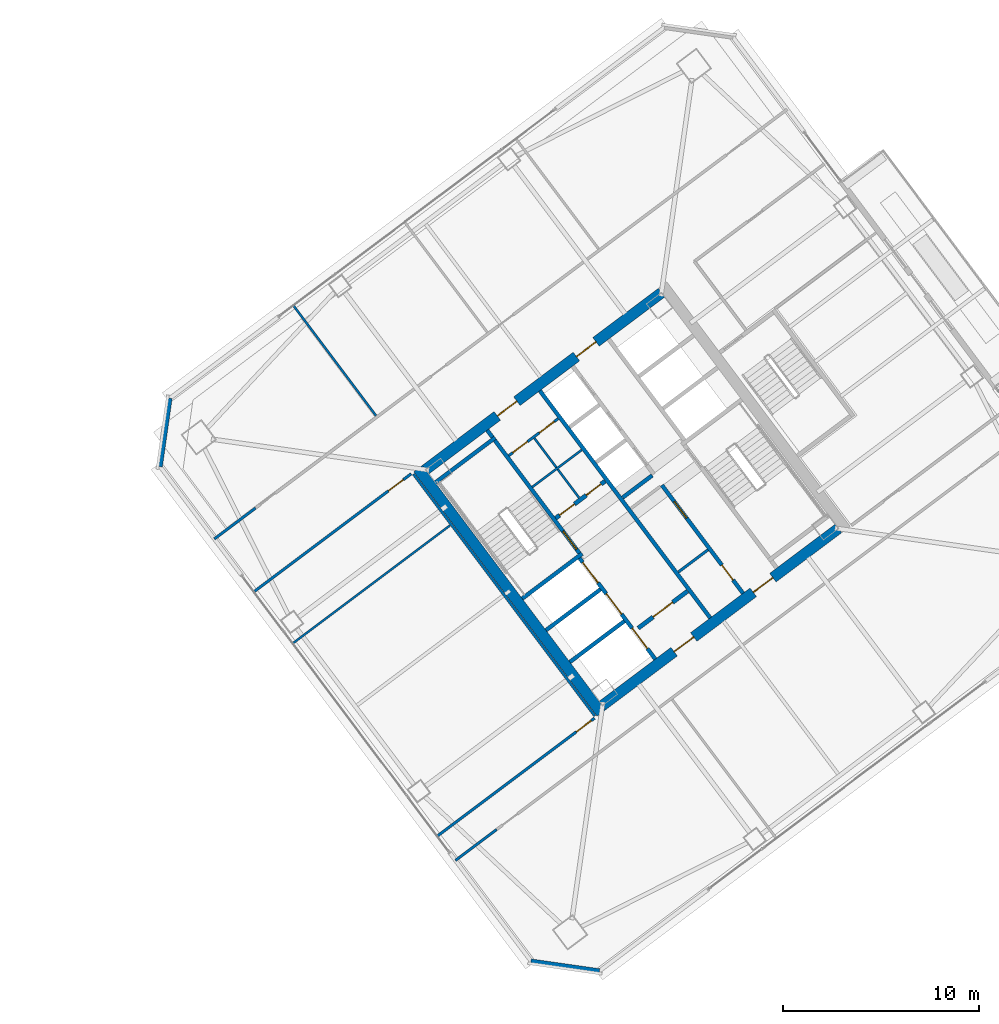
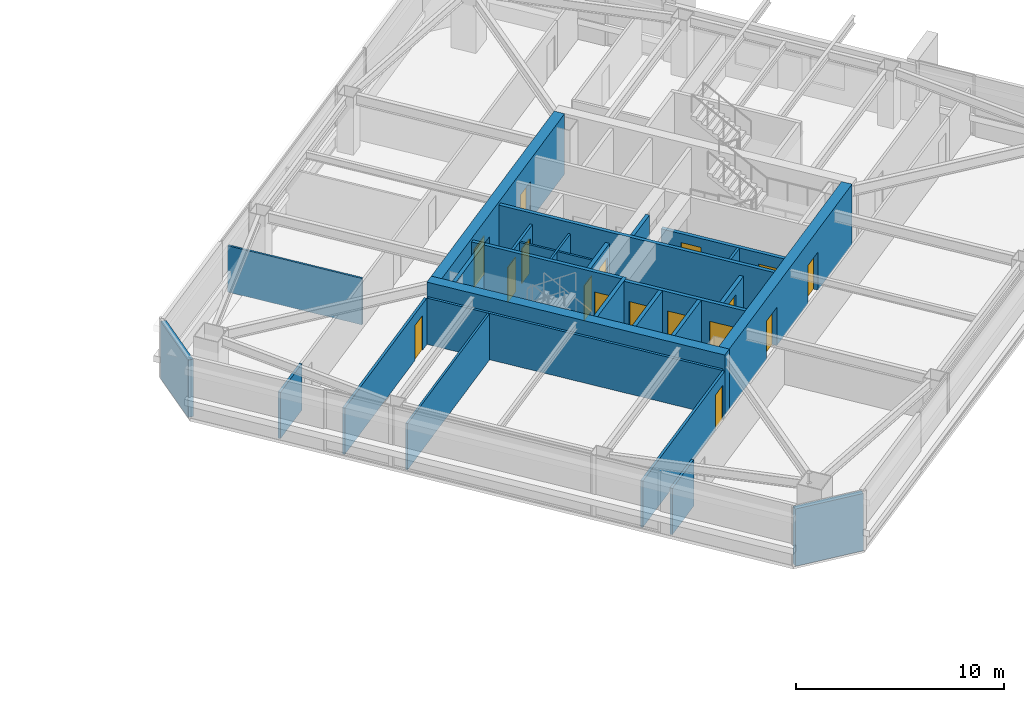
# One storey, part 32 of 41: 27 walls, 17 doors, 17 openings.
"""IFC4 building model written with IfcOpenShell, lengths in metres."""

from ifc_helpers import new_model, si_unit, direction, frame, frame_2d, origin, place, context, subcontext, project, spatial, rectangle, extrude, material, layer, layer_set, type_object, element, fill, save


model = new_model("IFC4")

# Units and contexts
model_context = context("Model", 3, precision=1e-05, world=origin(), true_north=direction((0.0, 1.0)))
body_context = subcontext(model_context, "Body", "Model", "MODEL_VIEW")
ifc_project = project(units=[si_unit("LENGTHUNIT", "METRE"), si_unit("AREAUNIT", "SQUARE_METRE"), si_unit("VOLUMEUNIT", "CUBIC_METRE"), si_unit("PLANEANGLEUNIT", "RADIAN"), si_unit("MASSUNIT", "GRAM", prefix="KILO")], contexts=[model_context])

# Site, building, storey
site_placement = place(None, origin())
site = spatial("IfcSite", under=ifc_project, at=site_placement, CompositionType="ELEMENT")
building_placement = place(site_placement, origin())
building = spatial("IfcBuilding", under=site, at=building_placement, Name="Tashvorn Skyway Center", CompositionType="ELEMENT")
storey_placement = place(building_placement, frame((0.0, 0.0, 146.35009765625)))
storey = spatial("IfcBuildingStorey", under=building, at=storey_placement, Name="L39", CompositionType="ELEMENT", Elevation=146.35009765625)

# Wall
ifc_material_1 = material(Name="Concrete C60/75", Category="concrete")
ifc_layer_1 = layer(ifc_material_1, 0.550048828125)
ifc_layer_set_1 = layer_set([ifc_layer_1], Name="Concrete C60/75")
wall_type_1 = type_object("IfcWallType", Name="WALL-CORE-550", PredefinedType="SHEAR", material=ifc_layer_set_1)
wall_1_placement = place(storey_placement, frame((112.43603515625, 21.076904296875, 0.0), z_axis=(0.0, 0.0, 1.0), x_axis=(-0.600005007985, 0.799996243986, 0.0)))
element("IfcWall", 1, at=wall_1_placement, inside=storey, type_object=wall_type_1, Name="Tower 2 L39 West Core Shear Wall", PredefinedType="SHEAR", context=body_context, shape_type="SweptSolid", body=[
    extrude(rectangle(XDim=15.60009765625, YDim=0.550048828125, at=frame_2d((7.800048828125, 0.0))), origin(), (0.0, 0.0, 1.0), 3.5498046875),
])

# Wall, openings, doors
wall_2_placement = place(storey_placement, frame((124.5390625, 30.498046875, 0.0), z_axis=(0.0, 0.0, 1.0), x_axis=(-0.799998054672, -0.600002593761, 0.0)))
wall_2 = element("IfcWall", 2, at=wall_2_placement, inside=storey, type_object=wall_type_1, Name="Tower 2 L39 South Core Shear Wall", PredefinedType="SHEAR", context=body_context, shape_type="SweptSolid", body=[
    extrude(rectangle(XDim=15.06005859375, YDim=0.550048828125, at=frame_2d((7.530029296875, 0.0))), origin(), (0.0, 0.0, 1.0), 3.5498046875),
])
opening_1_placement = place(wall_2_placement, frame((9.22998046875, 0.0, 0.0)))
opening_1 = element("IfcOpeningElement", 3, at=opening_1_placement, cuts=wall_2, Name="Opening D-FFL-1250", PredefinedType="OPENING", context=body_context, shape_type="SweptSolid", body=[
    extrude(rectangle(XDim=1.25, YDim=2.25, at=frame_2d((0.625, 1.125))), frame((0.0, 0.284912109375, 0.0), z_axis=(0.0, -1.0, 0.0), x_axis=(1.0, 0.0, 0.0)), (0.0, 0.0, 1.0), 0.570068359375),
])
opening_2_placement = place(wall_2_placement, frame((4.179931640625, 0.0, 0.0)))
opening_2 = element("IfcOpeningElement", 4, at=opening_2_placement, cuts=wall_2, Name="Opening D-FFL-1250", PredefinedType="OPENING", context=body_context, shape_type="SweptSolid", body=[
    extrude(rectangle(XDim=1.25, YDim=2.25, at=frame_2d((0.625, 1.125))), frame((0.0, 0.284912109375, 0.0), z_axis=(0.0, -1.0, 0.0), x_axis=(1.0, 0.0, 0.0)), (0.0, 0.0, 1.0), 0.570068359375),
])
ifc_material_2 = material(Name="Hollow galvanized steel fire door assembly", Category="steel")
door_type_1 = type_object("IfcDoorType", Name="DOOR-FFL-1250", OperationType="NOTDEFINED", PredefinedType="DOOR", material=ifc_material_2)
door_1_placement = place(opening_1_placement, origin())
door_1 = element("IfcDoor", 5, at=door_1_placement, inside=storey, type_object=door_type_1, Name="Tower 2 L39 Core South Firefighting Exit Door", OperationType="SINGLE_SWING_LEFT", OverallHeight=2.25, OverallWidth=1.25, PredefinedType="DOOR", context=body_context, shape_type="SweptSolid", body=[
    extrude(rectangle(XDim=1.25, YDim=2.25, at=frame_2d((0.625, 1.125))), frame((0.0, 0.02490234375, 0.0), z_axis=(0.0, -1.0, 0.0), x_axis=(1.0, 0.0, 0.0)), (0.0, 0.0, 1.0), 0.050048828125),
])
fill(opening_1, door_1)
door_2_placement = place(opening_2_placement, origin())
door_2 = element("IfcDoor", 6, at=door_2_placement, inside=storey, type_object=door_type_1, Name="Tower 2 L39 Core South Lift Lobby Door", OperationType="SINGLE_SWING_RIGHT", OverallHeight=2.25, OverallWidth=1.25, PredefinedType="DOOR", context=body_context, shape_type="SweptSolid", body=[
    extrude(rectangle(XDim=1.25, YDim=2.25, at=frame_2d((0.625, 1.125))), frame((0.0, 0.02490234375, 0.0), z_axis=(0.0, -1.0, 0.0), x_axis=(1.0, 0.0, 0.0)), (0.0, 0.0, 1.0), 0.050048828125),
])
fill(opening_2, door_2)

wall_3_placement = place(storey_placement, frame((103.4609375, 33.501953125, 0.0), z_axis=(0.0, 0.0, 1.0), x_axis=(0.799998054672, 0.600002593761, 0.0)))
wall_3 = element("IfcWall", 7, at=wall_3_placement, inside=storey, type_object=wall_type_1, Name="Tower 2 L39 North Core Shear Wall", PredefinedType="SHEAR", context=body_context, shape_type="SweptSolid", body=[
    extrude(rectangle(XDim=15.06005859375, YDim=0.550048828125, at=frame_2d((7.530029296875, 0.0))), origin(), (0.0, 0.0, 1.0), 3.5498046875),
])
opening_3_placement = place(wall_3_placement, frame((4.580078125, 0.0, 0.0)))
opening_3 = element("IfcOpeningElement", 8, at=opening_3_placement, cuts=wall_3, Name="Opening D-FFL-1250", PredefinedType="OPENING", context=body_context, shape_type="SweptSolid", body=[
    extrude(rectangle(XDim=1.25, YDim=2.25, at=frame_2d((0.625, 1.125))), frame((0.0, 0.284912109375, 0.0), z_axis=(0.0, -1.0, 0.0), x_axis=(1.0, 0.0, 0.0)), (0.0, 0.0, 1.0), 0.570068359375),
])
opening_4_placement = place(wall_3_placement, frame((9.6298828125, 0.0, 0.0)))
opening_4 = element("IfcOpeningElement", 9, at=opening_4_placement, cuts=wall_3, Name="Opening D-FFL-1250", PredefinedType="OPENING", context=body_context, shape_type="SweptSolid", body=[
    extrude(rectangle(XDim=1.25, YDim=2.25, at=frame_2d((0.625, 1.125))), frame((0.0, 0.284912109375, 0.0), z_axis=(0.0, -1.0, 0.0), x_axis=(1.0, 0.0, 0.0)), (0.0, 0.0, 1.0), 0.570068359375),
])
door_3_placement = place(opening_3_placement, origin())
door_3 = element("IfcDoor", 10, at=door_3_placement, inside=storey, type_object=door_type_1, Name="Tower 2 L39 Core North Service Lobby Door", OperationType="SINGLE_SWING_LEFT", OverallHeight=2.25, OverallWidth=1.25, PredefinedType="DOOR", context=body_context, shape_type="SweptSolid", body=[
    extrude(rectangle(XDim=1.25, YDim=2.25, at=frame_2d((0.625, 1.125))), frame((0.0, 0.02490234375, 0.0), z_axis=(0.0, -1.0, 0.0), x_axis=(1.0, 0.0, 0.0)), (0.0, 0.0, 1.0), 0.050048828125),
])
fill(opening_3, door_3)
door_4_placement = place(opening_4_placement, origin())
door_4 = element("IfcDoor", 11, at=door_4_placement, inside=storey, type_object=door_type_1, Name="Tower 2 L39 Core North Lift Lobby Door", OperationType="SINGLE_SWING_RIGHT", OverallHeight=2.25, OverallWidth=1.25, PredefinedType="DOOR", context=body_context, shape_type="SweptSolid", body=[
    extrude(rectangle(XDim=1.25, YDim=2.25, at=frame_2d((0.625, 1.125))), frame((0.0, 0.02490234375, 0.0), z_axis=(0.0, -1.0, 0.0), x_axis=(1.0, 0.0, 0.0)), (0.0, 0.0, 1.0), 0.050048828125),
])
fill(opening_4, door_4)

# Walls
ifc_material_3 = material(Name="Precast concrete C40/50", Category="concrete")
ifc_layer_2 = layer(ifc_material_3, 0.280029296875)
ifc_layer_set_2 = layer_set([ifc_layer_2], Name="Precast concrete C40/50")
wall_type_2 = type_object("IfcWallType", Name="WALL-EXT-280", PredefinedType="SOLIDWALL", material=ifc_layer_set_2)
for number, where, z_axis, x_axis, name in (
    (12, (112.340087890625, 7.8798828125, 0.0), (0.0, 0.0, 1.0), (-0.989949493661, 0.141421356237, 0.0), "Tower 2 L39 SW Precast Chamfer Wall"),
    (13, (89.8798828125, 33.659912109375, 0.0), (0.0, 0.0, 1.0), (0.141421356237, 0.989949493661, 0.0), "Tower 2 L39 NW Precast Chamfer Wall"),
):
    element("IfcWall", number, at=place(storey_placement, frame(where, z_axis=z_axis, x_axis=x_axis)), inside=storey, type_object=wall_type_2, Name=name, PredefinedType="SOLIDWALL", context=body_context, shape_type="SweptSolid", body=[
        extrude(rectangle(XDim=3.53564453125, YDim=0.280029296875, at=frame_2d((1.767822265625, 0.0))), origin(), (0.0, 0.0, 1.0), 3.369873046875),
    ])

# Wall, openings, doors
ifc_material_4 = material(Name="Concrete C40/50", Category="concrete")
ifc_layer_3 = layer(ifc_material_4, 0.219970703125)
ifc_layer_set_3 = layer_set([ifc_layer_3], Name="Concrete C40/50")
wall_type_3 = type_object("IfcWallType", Name="WALL-FFL-220", PredefinedType="SOLIDWALL", material=ifc_layer_set_3)
wall_4_placement = place(storey_placement, frame((110.10400390625, 31.028076171875, 0.0), z_axis=(0.0, 0.0, 1.0), x_axis=(0.800018601094, 0.59997519774, 0.0)))
wall_4 = element("IfcWall", 14, at=wall_4_placement, inside=storey, type_object=wall_type_3, Name="Tower 2 L39 Firefighting Lobby North Wall", PredefinedType="SOLIDWALL", context=body_context, shape_type="SweptSolid", body=[
    extrude(rectangle(XDim=3.14990234375, YDim=0.219970703125, at=frame_2d((1.574951171875, 0.0))), origin(), (0.0, 0.0, 1.0), 2.722900390625),
])
opening_5_placement = place(wall_4_placement, frame((0.25, 0.0, 0.0)))
opening_5 = element("IfcOpeningElement", 15, at=opening_5_placement, cuts=wall_4, Name="Opening D-RT-950", PredefinedType="OPENING", context=body_context, shape_type="SweptSolid", body=[
    extrude(rectangle(XDim=0.949951171875, YDim=2.050048828125, at=frame_2d((0.47509765625, 1.02490234375))), frame((0.0, 0.119873046875, 0.0), z_axis=(0.0, -1.0, 0.0), x_axis=(1.0, 0.0, 0.0)), (0.0, 0.0, 1.0), 0.239990234375),
])
opening_6_placement = place(wall_4_placement, frame((1.949951171875, 0.0, 0.0)))
opening_6 = element("IfcOpeningElement", 16, at=opening_6_placement, cuts=wall_4, Name="Opening D-RT-950", PredefinedType="OPENING", context=body_context, shape_type="SweptSolid", body=[
    extrude(rectangle(XDim=0.949951171875, YDim=2.050048828125, at=frame_2d((0.47509765625, 1.02490234375))), frame((0.0, 0.119873046875, 0.0), z_axis=(0.0, -1.0, 0.0), x_axis=(1.0, 0.0, 0.0)), (0.0, 0.0, 1.0), 0.239990234375),
])
door_type_2 = type_object("IfcDoorType", Name="DOOR-RATED-950", OperationType="NOTDEFINED", PredefinedType="DOOR", material=ifc_material_2)
door_5_placement = place(opening_5_placement, origin())
door_5 = element("IfcDoor", 17, at=door_5_placement, inside=storey, type_object=door_type_2, Name="Tower 2 L39 Core Mail Room Door", OperationType="SINGLE_SWING_LEFT", OverallHeight=2.050048828125, OverallWidth=0.949951171875, PredefinedType="DOOR", context=body_context, shape_type="SweptSolid", body=[
    extrude(rectangle(XDim=0.949951171875, YDim=2.050048828125, at=frame_2d((0.47509765625, 1.02490234375))), frame((0.0, 0.02490234375, 0.0), z_axis=(0.0, -1.0, 0.0), x_axis=(1.0, 0.0, 0.0)), (0.0, 0.0, 1.0), 0.050048828125),
])
fill(opening_5, door_5)
door_6_placement = place(opening_6_placement, origin())
door_6 = element("IfcDoor", 18, at=door_6_placement, inside=storey, type_object=door_type_2, Name="Tower 2 L39 Core Supply Closet Door", OperationType="SINGLE_SWING_RIGHT", OverallHeight=2.050048828125, OverallWidth=0.949951171875, PredefinedType="DOOR", context=body_context, shape_type="SweptSolid", body=[
    extrude(rectangle(XDim=0.949951171875, YDim=2.050048828125, at=frame_2d((0.47509765625, 1.02490234375))), frame((0.0, 0.02490234375, 0.0), z_axis=(0.0, -1.0, 0.0), x_axis=(1.0, 0.0, 0.0)), (0.0, 0.0, 1.0), 0.050048828125),
])
fill(opening_6, door_6)

# Wall, opening, door
wall_5_placement = place(storey_placement, frame((114.31591796875, 25.412109375, 0.0), z_axis=(0.0, 0.0, 1.0), x_axis=(0.800018601094, 0.59997519774, 0.0)))
wall_5 = element("IfcWall", 19, at=wall_5_placement, inside=storey, type_object=wall_type_3, Name="Tower 2 L39 Firefighting Lobby South Wall", PredefinedType="SOLIDWALL", context=body_context, shape_type="SweptSolid", body=[
    extrude(rectangle(XDim=3.14990234375, YDim=0.219970703125, at=frame_2d((1.574951171875, 0.0))), origin(), (0.0, 0.0, 1.0), 2.722900390625),
])
opening_7_placement = place(wall_5_placement, frame((0.949951171875, 0.0, 0.0)))
opening_7 = element("IfcOpeningElement", 20, at=opening_7_placement, cuts=wall_5, Name="Opening D-FFL-1250", PredefinedType="OPENING", context=body_context, shape_type="SweptSolid", body=[
    extrude(rectangle(XDim=1.25, YDim=2.25, at=frame_2d((0.625, 1.125))), frame((0.0, 0.119873046875, 0.0), z_axis=(0.0, -1.0, 0.0), x_axis=(1.0, 0.0, 0.0)), (0.0, 0.0, 1.0), 0.239990234375),
])
door_7_placement = place(opening_7_placement, origin())
door_7 = element("IfcDoor", 21, at=door_7_placement, inside=storey, type_object=door_type_1, Name="Tower 2 L39 Firefighting Lobby Egress Door", OperationType="SINGLE_SWING_LEFT", OverallHeight=2.25, OverallWidth=1.25, PredefinedType="DOOR", context=body_context, shape_type="SweptSolid", body=[
    extrude(rectangle(XDim=1.25, YDim=2.25, at=frame_2d((0.625, 1.125))), frame((0.0, 0.02490234375, 0.0), z_axis=(0.0, -1.0, 0.0), x_axis=(1.0, 0.0, 0.0)), (0.0, 0.0, 1.0), 0.050048828125),
])
fill(opening_7, door_7)

# Walls
ifc_material_5 = material(Name="Gypsum board on cold-formed steel stud framing", Category="steel")
ifc_layer_4 = layer(ifc_material_5, 0.110107421875)
ifc_layer_set_4 = layer_set([ifc_layer_4], Name="Gypsum board on cold-formed steel stud framing")
wall_type_4 = type_object("IfcWallType", Name="WALL-PART-110", PredefinedType="PARTITIONING", material=ifc_layer_set_4)
wall_6_placement = place(storey_placement, frame((100.929931640625, 36.260009765625, 0.0), z_axis=(0.0, 0.0, 1.0), x_axis=(-0.6, 0.8, 0.0)))
element("IfcWall", 22, at=wall_6_placement, inside=storey, type_object=wall_type_4, Name="Tower 2 L39 North Suite Partition 1", PredefinedType="PARTITIONING", context=body_context, shape_type="SweptSolid", body=[
    extrude(rectangle(XDim=7.030029296875, YDim=0.110107421875, at=frame_2d((3.51513671875, 0.0))), origin(), (0.0, 0.0, 1.0), 2.722900390625),
])
wall_7_placement = place(storey_placement, frame((96.676025390625, 24.632080078125, 0.0), z_axis=(0.0, 0.0, 1.0), x_axis=(0.800002918023, 0.599996109283, 0.0)))
element("IfcWall", 23, at=wall_7_placement, inside=storey, type_object=wall_type_4, Name="Tower 2 L39 West Mid Partition", PredefinedType="PARTITIONING", context=body_context, shape_type="SweptSolid", body=[
    extrude(rectangle(XDim=10.0400390625, YDim=0.110107421875, at=frame_2d((5.02001953125, 0.0))), origin(), (0.0, 0.0, 1.0), 2.722900390625),
])
ifc_layer_5 = layer(ifc_material_5, 0.135009765625)
ifc_layer_set_5 = layer_set([ifc_layer_5], Name="Gypsum board on cold-formed steel stud framing")
wall_type_5 = type_object("IfcWallType", Name="WALL-PART-135", PredefinedType="PARTITIONING", material=ifc_layer_set_5)
for number, where, z_axis, x_axis, name in (
    (24, (92.674072265625, 29.968017578125, 0.0), (0.0, 0.0, 1.0), (0.80002227902, 0.599970293491, 0.0), "Tower 2 L39 North-West Suite South Wall"),
    (25, (104.986083984375, 13.552001953125, 0.0), (0.0, 0.0, 1.0), (0.80002227902, 0.599970293491, 0.0), "Tower 2 L39 South-West Suite North Wall"),
):
    element("IfcWall", number, at=place(storey_placement, frame(where, z_axis=z_axis, x_axis=x_axis)), inside=storey, type_object=wall_type_5, Name=name, PredefinedType="PARTITIONING", context=body_context, shape_type="SweptSolid", body=[
        extrude(rectangle(XDim=2.6298828125, YDim=0.135009765625, at=frame_2d((1.31494140625, 0.0))), origin(), (0.0, 0.0, 1.0), 2.722900390625),
    ])
wall_8_placement = place(storey_placement, frame((112.10400390625, 20.927978515625, 0.0), z_axis=(0.0, 0.0, 1.0), x_axis=(-0.599994940075, 0.800003794918, 0.0)))
element("IfcWall", 26, at=wall_8_placement, inside=storey, type_object=wall_type_5, Name="Tower 2 L39 West Inner Suite Wall", PredefinedType="PARTITIONING", context=body_context, shape_type="SweptSolid", body=[
    extrude(rectangle(XDim=15.43994140625, YDim=0.135009765625, at=frame_2d((7.719970703125, 0.0))), origin(), (0.0, 0.0, 1.0), 2.722900390625),
])

# Wall, opening, door
wall_9_placement = place(storey_placement, frame((102.72802734375, 33.2958984375, 0.0), z_axis=(0.0, 0.0, 1.0), x_axis=(-0.800002918023, -0.599996109283, 0.0)))
wall_9 = element("IfcWall", 27, at=wall_9_placement, inside=storey, type_object=wall_type_5, Name="Tower 2 L39 West Suite North Wall", PredefinedType="PARTITIONING", context=body_context, shape_type="SweptSolid", body=[
    extrude(rectangle(XDim=10.0400390625, YDim=0.135009765625, at=frame_2d((5.02001953125, 0.0))), origin(), (0.0, 0.0, 1.0), 2.722900390625),
])
opening_8_placement = place(wall_9_placement, frame((0.5, 0.0, 0.0)))
opening_8 = element("IfcOpeningElement", 28, at=opening_8_placement, cuts=wall_9, Name="Opening D-INT-950", PredefinedType="OPENING", context=body_context, shape_type="SweptSolid", body=[
    extrude(rectangle(XDim=0.949951171875, YDim=2.050048828125, at=frame_2d((0.47509765625, 1.02490234375))), frame((0.0, 0.077392578125, 0.0), z_axis=(0.0, -1.0, 0.0), x_axis=(1.0, 0.0, 0.0)), (0.0, 0.0, 1.0), 0.155029296875),
])
ifc_material_6 = material(Name="Solid-core architectural oak veneer door")
door_type_3 = type_object("IfcDoorType", Name="DOOR-INT-950", OperationType="NOTDEFINED", PredefinedType="DOOR", material=ifc_material_6)
door_8_placement = place(opening_8_placement, origin())
door_8 = element("IfcDoor", 29, at=door_8_placement, inside=storey, type_object=door_type_3, Name="Tower 2 L39 Collaborative Studio Door", OperationType="SINGLE_SWING_LEFT", OverallHeight=2.050048828125, OverallWidth=0.949951171875, PredefinedType="DOOR", context=body_context, shape_type="SweptSolid", body=[
    extrude(rectangle(XDim=0.949951171875, YDim=2.050048828125, at=frame_2d((0.47509765625, 1.02490234375))), frame((0.0, 0.02490234375, 0.0), z_axis=(0.0, -1.0, 0.0), x_axis=(1.0, 0.0, 0.0)), (0.0, 0.0, 1.0), 0.050048828125),
])
fill(opening_8, door_8)

wall_10_placement = place(storey_placement, frame((104.055908203125, 14.7919921875, 0.0), z_axis=(0.0, 0.0, 1.0), x_axis=(0.800002918023, 0.599996109283, 0.0)))
wall_10 = element("IfcWall", 30, at=wall_10_placement, inside=storey, type_object=wall_type_5, Name="Tower 2 L39 West Suite South Wall", PredefinedType="PARTITIONING", context=body_context, shape_type="SweptSolid", body=[
    extrude(rectangle(XDim=10.0400390625, YDim=0.135009765625, at=frame_2d((5.02001953125, 0.0))), origin(), (0.0, 0.0, 1.0), 2.722900390625),
])
opening_9_placement = place(wall_10_placement, frame((8.8798828125, 0.0, 0.0)))
opening_9 = element("IfcOpeningElement", 31, at=opening_9_placement, cuts=wall_10, Name="Opening D-INT-950", PredefinedType="OPENING", context=body_context, shape_type="SweptSolid", body=[
    extrude(rectangle(XDim=0.949951171875, YDim=2.050048828125, at=frame_2d((0.47509765625, 1.02490234375))), frame((0.0, 0.077392578125, 0.0), z_axis=(0.0, -1.0, 0.0), x_axis=(1.0, 0.0, 0.0)), (0.0, 0.0, 1.0), 0.155029296875),
])
door_9_placement = place(opening_9_placement, origin())
door_9 = element("IfcDoor", 32, at=door_9_placement, inside=storey, type_object=door_type_3, Name="Tower 2 L39 Public Restroom Door", OperationType="SINGLE_SWING_RIGHT", OverallHeight=2.050048828125, OverallWidth=0.949951171875, PredefinedType="DOOR", context=body_context, shape_type="SweptSolid", body=[
    extrude(rectangle(XDim=0.949951171875, YDim=2.050048828125, at=frame_2d((0.47509765625, 1.02490234375))), frame((0.0, 0.02490234375, 0.0), z_axis=(0.0, -1.0, 0.0), x_axis=(1.0, 0.0, 0.0)), (0.0, 0.0, 1.0), 0.050048828125),
])
fill(opening_9, door_9)

# Walls
ifc_layer_6 = layer(ifc_material_5, 0.110107421875)
ifc_layer_set_6 = layer_set([ifc_layer_6], Name="Gypsum board on cold-formed steel stud framing")
wall_type_6 = type_object("IfcWallType", Name="WALL-RATED-110", PredefinedType="PARTITIONING", material=ifc_layer_set_6)
wall_11_placement = place(storey_placement, frame((111.2958984375, 32.072021484375, 0.0), z_axis=(0.0, 0.0, 1.0), x_axis=(-0.59995887973, 0.800030838552, 0.0)))
element("IfcWall", 33, at=wall_11_placement, inside=storey, type_object=wall_type_6, Name="Tower 2 L39 Core Cross Vertical", PredefinedType="PARTITIONING", context=body_context, shape_type="SweptSolid", body=[
    extrude(rectangle(XDim=3.7998046875, YDim=0.110107421875, at=frame_2d((1.89990234375, 0.0))), origin(), (0.0, 0.0, 1.0), 2.722900390625),
])
wall_12_placement = place(storey_placement, frame((108.909912109375, 32.6201171875, 0.0), z_axis=(0.0, 0.0, 1.0), x_axis=(0.800018601094, 0.59997519774, 0.0)))
element("IfcWall", 34, at=wall_12_placement, inside=storey, type_object=wall_type_6, Name="Tower 2 L39 Core Cross Horizontal", PredefinedType="PARTITIONING", context=body_context, shape_type="SweptSolid", body=[
    extrude(rectangle(XDim=3.14990234375, YDim=0.110107421875, at=frame_2d((1.574951171875, 0.0))), origin(), (0.0, 0.0, 1.0), 2.722900390625),
])

# Wall, openings, doors
ifc_layer_7 = layer(ifc_material_5, 0.135009765625)
ifc_layer_set_7 = layer_set([ifc_layer_7], Name="Gypsum board on cold-formed steel stud framing")
wall_type_7 = type_object("IfcWallType", Name="WALL-RATED-135", PredefinedType="PARTITIONING", material=ifc_layer_set_7)
wall_13_placement = place(storey_placement, frame((107.7099609375, 34.219970703125, 0.0), z_axis=(0.0, 0.0, 1.0), x_axis=(0.799981399002, 0.60002480053, 0.0)))
wall_13 = element("IfcWall", 35, at=wall_13_placement, inside=storey, type_object=wall_type_7, Name="Tower 2 L39 Core Service Lobby Wall", PredefinedType="PARTITIONING", context=body_context, shape_type="SweptSolid", body=[
    extrude(rectangle(XDim=3.150146484375, YDim=0.135009765625, at=frame_2d((1.5751953125, 0.0))), origin(), (0.0, 0.0, 1.0), 2.722900390625),
])
opening_10_placement = place(wall_13_placement, frame((0.25, 0.0, 0.0)))
opening_10 = element("IfcOpeningElement", 36, at=opening_10_placement, cuts=wall_13, Name="Opening D-RT-950", PredefinedType="OPENING", context=body_context, shape_type="SweptSolid", body=[
    extrude(rectangle(XDim=0.949951171875, YDim=2.050048828125, at=frame_2d((0.47509765625, 1.02490234375))), frame((0.0, 0.077392578125, 0.0), z_axis=(0.0, -1.0, 0.0), x_axis=(1.0, 0.0, 0.0)), (0.0, 0.0, 1.0), 0.155029296875),
])
opening_11_placement = place(wall_13_placement, frame((1.949951171875, 0.0, 0.0)))
opening_11 = element("IfcOpeningElement", 37, at=opening_11_placement, cuts=wall_13, Name="Opening D-RT-950", PredefinedType="OPENING", context=body_context, shape_type="SweptSolid", body=[
    extrude(rectangle(XDim=0.949951171875, YDim=2.050048828125, at=frame_2d((0.47509765625, 1.02490234375))), frame((0.0, 0.077392578125, 0.0), z_axis=(0.0, -1.0, 0.0), x_axis=(1.0, 0.0, 0.0)), (0.0, 0.0, 1.0), 0.155029296875),
])
door_10_placement = place(opening_10_placement, origin())
door_10 = element("IfcDoor", 38, at=door_10_placement, inside=storey, type_object=door_type_2, Name="Tower 2 L39 Core Cleaner Store Door", OperationType="SINGLE_SWING_LEFT", OverallHeight=2.050048828125, OverallWidth=0.949951171875, PredefinedType="DOOR", context=body_context, shape_type="SweptSolid", body=[
    extrude(rectangle(XDim=0.949951171875, YDim=2.050048828125, at=frame_2d((0.47509765625, 1.02490234375))), frame((0.0, 0.02490234375, 0.0), z_axis=(0.0, -1.0, 0.0), x_axis=(1.0, 0.0, 0.0)), (0.0, 0.0, 1.0), 0.050048828125),
])
fill(opening_10, door_10)
door_11_placement = place(opening_11_placement, origin())
door_11 = element("IfcDoor", 39, at=door_11_placement, inside=storey, type_object=door_type_2, Name="Tower 2 L39 Core Accessible WC Door", OperationType="SINGLE_SWING_RIGHT", OverallHeight=2.050048828125, OverallWidth=0.949951171875, PredefinedType="DOOR", context=body_context, shape_type="SweptSolid", body=[
    extrude(rectangle(XDim=0.949951171875, YDim=2.050048828125, at=frame_2d((0.47509765625, 1.02490234375))), frame((0.0, 0.02490234375, 0.0), z_axis=(0.0, -1.0, 0.0), x_axis=(1.0, 0.0, 0.0)), (0.0, 0.0, 1.0), 0.050048828125),
])
fill(opening_11, door_11)

# Walls
wall_14_placement = place(storey_placement, frame((116.3759765625, 28.281982421875, 0.0), z_axis=(0.0, 0.0, 1.0), x_axis=(0.8, 0.6, 0.0)))
element("IfcWall", 40, at=wall_14_placement, inside=storey, type_object=wall_type_7, Name="Tower 2 L39 Freed Core Partition", PredefinedType="PARTITIONING", context=body_context, shape_type="SweptSolid", body=[
    extrude(rectangle(XDim=1.8798828125, YDim=0.135009765625, at=frame_2d((0.93994140625, 0.0))), origin(), (0.0, 0.0, 1.0), 2.722900390625),
])
ifc_layer_8 = layer(ifc_material_4, 0.199951171875)
ifc_layer_set_8 = layer_set([ifc_layer_8], Name="Concrete C40/50")
wall_type_8 = type_object("IfcWallType", Name="WALL-SHAFT-200", PredefinedType="SOLIDWALL", material=ifc_layer_set_8)
for number, where, z_axis, x_axis, name in (
    (41, (110.825927734375, 23.681884765625, 0.0), (0.0, 0.0, 1.0), (0.8, 0.6, 0.0), "Tower 2 L39 FSAE Shaft Divider"),
    (42, (109.60791015625, 25.305908203125, 0.0), (0.0, 0.0, 1.0), (0.8, 0.6, 0.0), "Tower 2 L39 FSAE Shaft Divider"),
):
    element("IfcWall", number, at=place(storey_placement, frame(where, z_axis=z_axis, x_axis=x_axis)), inside=storey, type_object=wall_type_8, Name=name, PredefinedType="SOLIDWALL", context=body_context, shape_type="SweptSolid", body=[
        extrude(rectangle(XDim=3.480224609375, YDim=0.199951171875, at=frame_2d((1.740234375, 0.0))), origin(), (0.0, 0.0, 1.0), 3.369873046875),
    ])

# Wall, openings, doors
wall_15_placement = place(storey_placement, frame((119.669921875, 27.18994140625, 0.0), z_axis=(0.0, 0.0, 1.0), x_axis=(-0.599988677396, 0.800008491828, 0.0)))
wall_15 = element("IfcWall", 43, at=wall_15_placement, inside=storey, type_object=wall_type_8, Name="Tower 2 L39 Low-Rise Core Wall", PredefinedType="SOLIDWALL", context=body_context, shape_type="SweptSolid", body=[
    extrude(rectangle(XDim=6.89990234375, YDim=0.199951171875, at=frame_2d((3.449951171875, 0.0))), origin(), (0.0, 0.0, 1.0), 2.722900390625),
])
opening_12_placement = place(wall_15_placement, frame((0.85009765625, 0.0, 0.0)))
opening_12 = element("IfcOpeningElement", 44, at=opening_12_placement, cuts=wall_15, Name="Opening D-RT-950", PredefinedType="OPENING", context=body_context, shape_type="SweptSolid", body=[
    extrude(rectangle(XDim=0.949951171875, YDim=2.050048828125, at=frame_2d((0.47509765625, 1.02490234375))), frame((0.0, 0.10986328125, 0.0), z_axis=(0.0, -1.0, 0.0), x_axis=(1.0, 0.0, 0.0)), (0.0, 0.0, 1.0), 0.219970703125),
])
opening_13_placement = place(wall_15_placement, frame((4.800048828125, 0.0, 0.0)))
opening_13 = element("IfcOpeningElement", 45, at=opening_13_placement, cuts=wall_15, Name="Opening D-RT-1050", PredefinedType="OPENING", context=body_context, shape_type="SweptSolid", body=[
    extrude(rectangle(XDim=1.050048828125, YDim=2.199951171875, at=frame_2d((0.52490234375, 1.10009765625))), frame((0.0, 0.10986328125, 0.0), z_axis=(0.0, -1.0, 0.0), x_axis=(1.0, 0.0, 0.0)), (0.0, 0.0, 1.0), 0.219970703125),
])
door_type_4 = type_object("IfcDoorType", Name="DOOR-RATED-1050", OperationType="NOTDEFINED", PredefinedType="DOOR", material=ifc_material_2)
door_12_placement = place(opening_13_placement, origin())
door_12 = element("IfcDoor", 46, at=door_12_placement, inside=storey, type_object=door_type_4, Name="Tower 2 L39 Freed Core Room Door", OperationType="SINGLE_SWING_RIGHT", OverallHeight=2.199951171875, OverallWidth=1.050048828125, PredefinedType="DOOR", context=body_context, shape_type="SweptSolid", body=[
    extrude(rectangle(XDim=1.050048828125, YDim=2.199951171875, at=frame_2d((0.52490234375, 1.10009765625))), frame((0.0, 0.02490234375, 0.0), z_axis=(0.0, -1.0, 0.0), x_axis=(1.0, 0.0, 0.0)), (0.0, 0.0, 1.0), 0.050048828125),
])
fill(opening_13, door_12)
door_13_placement = place(opening_12_placement, origin())
door_13 = element("IfcDoor", 47, at=door_13_placement, inside=storey, type_object=door_type_2, Name="Tower 2 L39 Core Print Room Door", OperationType="SINGLE_SWING_LEFT", OverallHeight=2.050048828125, OverallWidth=0.949951171875, PredefinedType="DOOR", context=body_context, shape_type="SweptSolid", body=[
    extrude(rectangle(XDim=0.949951171875, YDim=2.050048828125, at=frame_2d((0.47509765625, 1.02490234375))), frame((0.0, 0.02490234375, 0.0), z_axis=(0.0, -1.0, 0.0), x_axis=(1.0, 0.0, 0.0)), (0.0, 0.0, 1.0), 0.050048828125),
])
fill(opening_12, door_13)

# Wall
wall_16_placement = place(storey_placement, frame((113.52587890625, 32.08203125, 0.0), z_axis=(0.0, 0.0, 1.0), x_axis=(0.800046745961, 0.599937666993, 0.0)))
element("IfcWall", 48, at=wall_16_placement, inside=storey, type_object=wall_type_8, Name="Tower 2 L39 Mid-Rise Shaft Divider", PredefinedType="SOLIDWALL", context=body_context, shape_type="SweptSolid", body=[
    extrude(rectangle(XDim=1.880126953125, YDim=0.199951171875, at=frame_2d((0.93994140625, 0.0))), origin(), (0.0, 0.0, 1.0), 3.369873046875),
])

# Wall, opening, door
ifc_layer_9 = layer(ifc_material_4, 0.199951171875)
ifc_layer_set_9 = layer_set([ifc_layer_9], Name="Concrete C40/50")
wall_type_9 = type_object("IfcWallType", Name="WALL-STSHF-200", PredefinedType="SHEAR", material=ifc_layer_set_9)
wall_17_placement = place(storey_placement, frame((111.43994140625, 29.080078125, 0.0), z_axis=(0.0, 0.0, 1.0), x_axis=(-0.59999029481, 0.8000072788, 0.0)))
wall_17 = element("IfcWall", 49, at=wall_17_placement, inside=storey, type_object=wall_type_9, Name="Tower 2 L39 Stair 1 Enclosure Wall", PredefinedType="SHEAR", context=body_context, shape_type="SweptSolid", body=[
    extrude(rectangle(XDim=8.0498046875, YDim=0.199951171875, at=frame_2d((4.02490234375, 0.0))), origin(), (0.0, 0.0, 1.0), 3.369873046875),
])
opening_14_placement = place(wall_17_placement, frame((0.449951171875, 0.0, 0.0)))
opening_14 = element("IfcOpeningElement", 50, at=opening_14_placement, cuts=wall_17, Name="Opening D-ST-1150", PredefinedType="OPENING", context=body_context, shape_type="SweptSolid", body=[
    extrude(rectangle(XDim=1.14990234375, YDim=2.199951171875, at=frame_2d((0.574951171875, 1.10009765625))), frame((0.0, 0.10986328125, 0.0), z_axis=(0.0, -1.0, 0.0), x_axis=(1.0, 0.0, 0.0)), (0.0, 0.0, 1.0), 0.219970703125),
])
door_type_5 = type_object("IfcDoorType", Name="DOOR-STAIR-1150", OperationType="NOTDEFINED", PredefinedType="DOOR", material=ifc_material_2)
door_14_placement = place(opening_14_placement, origin())
door_14 = element("IfcDoor", 51, at=door_14_placement, inside=storey, type_object=door_type_5, Name="Tower 2 L39 Exit Stair 1 Door", OperationType="SINGLE_SWING_RIGHT", OverallHeight=2.199951171875, OverallWidth=1.14990234375, PredefinedType="DOOR", context=body_context, shape_type="SweptSolid", body=[
    extrude(rectangle(XDim=1.14990234375, YDim=2.199951171875, at=frame_2d((0.574951171875, 1.10009765625))), frame((0.0, 0.02490234375, 0.0), z_axis=(0.0, -1.0, 0.0), x_axis=(1.0, 0.0, 0.0)), (0.0, 0.0, 1.0), 0.050048828125),
])
fill(opening_14, door_14)

# Walls
for number, where, z_axis, x_axis, name in (
    (52, (108.39599609375, 26.922119140625, 0.0), (0.0, 0.0, 1.0), (0.800015298837, 0.599979601008, 0.0), "Tower 2 L39 Stair 1 South Wall"),
    (53, (103.9560546875, 32.842041015625, 0.0), (0.0, 0.0, 1.0), (0.800015298837, 0.599979601008, 0.0), "Tower 2 L39 Stair 1 North Wall"),
):
    element("IfcWall", number, at=place(storey_placement, frame(where, z_axis=z_axis, x_axis=x_axis)), inside=storey, type_object=wall_type_9, Name=name, PredefinedType="SHEAR", context=body_context, shape_type="SweptSolid", body=[
        extrude(rectangle(XDim=3.829833984375, YDim=0.199951171875, at=frame_2d((1.9150390625, 0.0))), origin(), (0.0, 0.0, 1.0), 3.369873046875),
    ])
wall_18_placement = place(storey_placement, frame((117.998046875, 25.93603515625, 0.0), z_axis=(0.0, 0.0, 1.0), x_axis=(-0.600002693989, 0.799997979501, 0.0)))
element("IfcWall", 54, at=wall_18_placement, inside=storey, type_object=wall_type_9, Name="Tower 2 L39 Firefighting Lobby East Smoke Barrier", PredefinedType="SHEAR", context=body_context, shape_type="SweptSolid", body=[
    extrude(rectangle(XDim=14.499755859375, YDim=0.199951171875, at=frame_2d((7.25, 0.0))), origin(), (0.0, 0.0, 1.0), 3.369873046875),
])

# Wall, openings, doors
wall_19_placement = place(storey_placement, frame((115.18994140625, 23.830078125, 0.0), z_axis=(0.0, 0.0, 1.0), x_axis=(-0.599993943644, 0.800004542231, 0.0)))
wall_19 = element("IfcWall", 55, at=wall_19_placement, inside=storey, type_object=wall_type_9, Name="Tower 2 L39 FSAE and Goods Shaft Front Wall", PredefinedType="SHEAR", context=body_context, shape_type="SweptSolid", body=[
    extrude(rectangle(XDim=6.449951171875, YDim=0.199951171875, at=frame_2d((3.22509765625, 0.0))), origin(), (0.0, 0.0, 1.0), 3.369873046875),
])
opening_15_placement = place(wall_19_placement, frame((4.875, 0.0, 0.0)))
opening_15 = element("IfcOpeningElement", 56, at=opening_15_placement, cuts=wall_19, Name="Opening LD-FF-T2-1-L39", PredefinedType="OPENING", context=body_context, shape_type="SweptSolid", body=[
    extrude(rectangle(XDim=1.300048828125, YDim=2.25, at=frame_2d((0.64990234375, 1.125))), frame((0.0, 0.10986328125, 0.0), z_axis=(0.0, -1.0, 0.0), x_axis=(1.0, 0.0, 0.0)), (0.0, 0.0, 1.0), 0.219970703125),
])
opening_16_placement = place(wall_19_placement, frame((2.875, 0.0, 0.0)))
opening_16 = element("IfcOpeningElement", 57, at=opening_16_placement, cuts=wall_19, Name="Opening LD-FF-T2-2-L39", PredefinedType="OPENING", context=body_context, shape_type="SweptSolid", body=[
    extrude(rectangle(XDim=1.300048828125, YDim=2.25, at=frame_2d((0.64990234375, 1.125))), frame((0.0, 0.10986328125, 0.0), z_axis=(0.0, -1.0, 0.0), x_axis=(1.0, 0.0, 0.0)), (0.0, 0.0, 1.0), 0.219970703125),
])
opening_17_placement = place(wall_19_placement, frame((0.675048828125, 0.0, 0.0)))
opening_17 = element("IfcOpeningElement", 58, at=opening_17_placement, cuts=wall_19, Name="Opening LD-GD-T2-1-L39", PredefinedType="OPENING", context=body_context, shape_type="SweptSolid", body=[
    extrude(rectangle(XDim=1.300048828125, YDim=2.25, at=frame_2d((0.64990234375, 1.125))), frame((0.0, 0.10986328125, 0.0), z_axis=(0.0, -1.0, 0.0), x_axis=(1.0, 0.0, 0.0)), (0.0, 0.0, 1.0), 0.219970703125),
])
ifc_material_7 = material(Name="Stainless steel heavy-duty landing door", Category="steel")
door_type_6 = type_object("IfcDoorType", Name="DOOR-LIFT-1300", OperationType="SLIDING_TO_LEFT", PredefinedType="DOOR", material=ifc_material_7)
door_15_placement = place(opening_15_placement, origin())
door_15 = element("IfcDoor", 59, at=door_15_placement, inside=storey, type_object=door_type_6, Name="Lift FF-T2-1 L39 Landing Door", OperationType="SLIDING_TO_LEFT", OverallHeight=2.25, OverallWidth=1.300048828125, PredefinedType="DOOR", context=body_context, shape_type="SweptSolid", body=[
    extrude(rectangle(XDim=1.300048828125, YDim=2.25, at=frame_2d((0.64990234375, 1.125))), frame((0.0, 0.02490234375, 0.0), z_axis=(0.0, -1.0, 0.0), x_axis=(1.0, 0.0, 0.0)), (0.0, 0.0, 1.0), 0.050048828125),
])
fill(opening_15, door_15)
door_16_placement = place(opening_16_placement, origin())
door_16 = element("IfcDoor", 60, at=door_16_placement, inside=storey, type_object=door_type_6, Name="Lift FF-T2-2 L39 Landing Door", OperationType="SLIDING_TO_LEFT", OverallHeight=2.25, OverallWidth=1.300048828125, PredefinedType="DOOR", context=body_context, shape_type="SweptSolid", body=[
    extrude(rectangle(XDim=1.300048828125, YDim=2.25, at=frame_2d((0.64990234375, 1.125))), frame((0.0, 0.02490234375, 0.0), z_axis=(0.0, -1.0, 0.0), x_axis=(1.0, 0.0, 0.0)), (0.0, 0.0, 1.0), 0.050048828125),
])
fill(opening_16, door_16)
door_17_placement = place(opening_17_placement, origin())
door_17 = element("IfcDoor", 61, at=door_17_placement, inside=storey, type_object=door_type_6, Name="Lift GD-T2-1 L39 Landing Door", OperationType="SLIDING_TO_LEFT", OverallHeight=2.25, OverallWidth=1.300048828125, PredefinedType="DOOR", context=body_context, shape_type="SweptSolid", body=[
    extrude(rectangle(XDim=1.300048828125, YDim=2.25, at=frame_2d((0.64990234375, 1.125))), frame((0.0, 0.02490234375, 0.0), z_axis=(0.0, -1.0, 0.0), x_axis=(1.0, 0.0, 0.0)), (0.0, 0.0, 1.0), 0.050048828125),
])
fill(opening_17, door_17)

save(model, "model.ifc")
